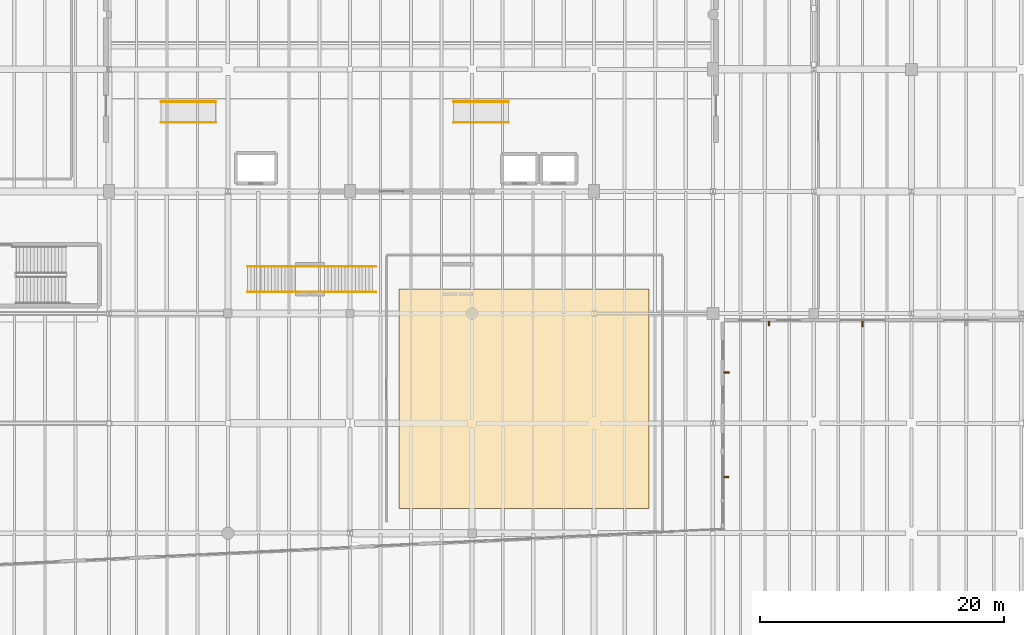
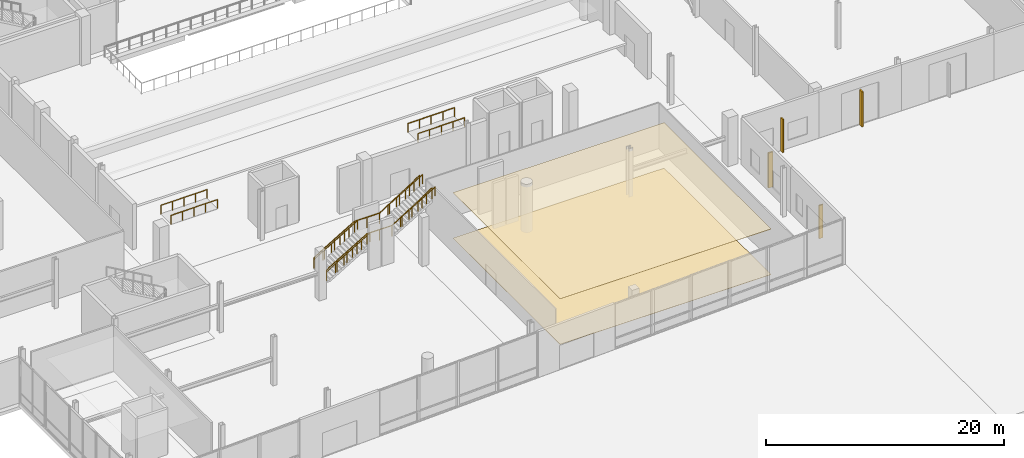
# One storey, part 80 of 88: 10 railings, 4 shading devices, 2 coverings.
"""IFC4 building model written with IfcOpenShell, lengths in metres."""

from ifc_helpers import new_model, si_unit, direction, frame, origin, origin_2d, place, context, subcontext, project, spatial, polyline, rectangle, circle, outline, extrude, material, layer, layer_set, type_object, element, save


model = new_model("IFC4")

# Units and contexts
model_context = context("Model", 3, precision=1e-05, world=origin(), true_north=direction((0.0, 1.0)))
body_context = subcontext(model_context, "Body", "Model", "MODEL_VIEW")
ifc_project = project(units=[si_unit("LENGTHUNIT", "METRE"), si_unit("AREAUNIT", "SQUARE_METRE"), si_unit("VOLUMEUNIT", "CUBIC_METRE"), si_unit("PLANEANGLEUNIT", "RADIAN"), si_unit("MASSUNIT", "GRAM", prefix="KILO")], contexts=[model_context])

# Site, building, storey
site_placement = place(None, origin())
site = spatial("IfcSite", under=ifc_project, at=site_placement, CompositionType="ELEMENT")
building_placement = place(site_placement, origin())
building = spatial("IfcBuilding", under=site, at=building_placement, Name="Trimount Lyric Opera House", CompositionType="ELEMENT")
storey_placement = place(building_placement, origin())
storey = spatial("IfcBuildingStorey", under=building, at=storey_placement, Name="L00", CompositionType="ELEMENT", Elevation=0.0)

# Coverings
ifc_material_1 = material(Name="Micro-Perforated White Oak Acoustic Ceiling")
ifc_layer_1 = layer(ifc_material_1, 0.0400390625)
ifc_layer_set_1 = layer_set([ifc_layer_1], Name="CEIL-AC1")
covering_type_1 = type_object("IfcCoveringType", Name="CEIL-AC1", PredefinedType="CEILING", material=ifc_layer_set_1)
covering_1_placement = place(storey_placement, frame((0.0, 0.0, 4.659912109375)))
element("IfcCovering", 1, at=covering_1_placement, inside=storey, type_object=covering_type_1, Name="Winter-Garden Ground Hall acoustic ceiling", PredefinedType="CEILING", context=body_context, shape_type="SweptSolid", body=[
    extrude(outline(polyline([(88.0, 28.0), (108.5, 28.0), (108.5, 46.0), (88.0, 46.0), (88.0, 28.0)])), origin(), (0.0, 0.0, 1.0), 0.0400390625),
])
ifc_material_2 = material(Name="Honed Granite Terrazzo Concourse Flooring", Category="masonry")
ifc_layer_2 = layer(ifc_material_2, 0.02490234375)
ifc_layer_set_2 = layer_set([ifc_layer_2], Name="FLR-TRZ1")
covering_type_2 = type_object("IfcCoveringType", Name="FLR-TRZ1", PredefinedType="FLOORING", material=ifc_layer_set_2)
covering_2_placement = place(storey_placement, origin())
element("IfcCovering", 2, at=covering_2_placement, inside=storey, type_object=covering_type_2, Name="Winter-Garden Ground Hall finish flooring", PredefinedType="FLOORING", context=body_context, shape_type="SweptSolid", body=[
    extrude(outline(polyline([(88.0, 28.0), (108.5, 28.0), (108.5, 46.0), (88.0, 46.0), (88.0, 28.0)])), origin(), (0.0, 0.0, 1.0), 0.02490234375),
])

# Railings
ifc_material_3 = material(Name="Bronze and Laminated Acoustic Glass", Category="glass")
railing_type_1 = type_object("IfcRailingType", Name="RL-BAL112", PredefinedType="BALUSTRADE", material=ifc_material_3)
railing_1_placement = place(storey_placement, frame((75.60009765625, 45.75, 0.166748046875)))
element("IfcRailing", 3, at=railing_1_placement, inside=storey, type_object=railing_type_1, Name="Winter-Garden Lower Promenade Stair balustrade S", PredefinedType="BALUSTRADE", context=body_context, shape_type="SweptSolid", body=[
    extrude(circle(Radius=0.02734375, at=origin_2d()), frame((0.0, 0.0, 1.0927734375), z_axis=(0.859296244711, 0.0, 0.511478214419), x_axis=(0.0, 1.0, 0.0)), (0.0, 0.0, 1.0), 4.561767578125),
    extrude(circle(Radius=0.02734375, at=origin_2d()), frame((3.919921875, 0.0, 3.42578125), z_axis=(1.0, 0.0, 0.0), x_axis=(0.0, 1.0, 0.0)), (0.0, 0.0, 1.0), 2.39990234375),
    extrude(circle(Radius=0.02734375, at=origin_2d()), frame((6.31982421875, 0.0, 3.42578125), z_axis=(0.843140013903, 0.0, 0.53769407376), x_axis=(0.0, 1.0, 0.0)), (0.0, 0.0, 1.0), 4.6494140625),
    extrude(circle(Radius=0.02099609375, at=origin_2d()), origin(), (0.0, 0.0, 1.0), 1.065185546875),
    extrude(circle(Radius=0.02099609375, at=origin_2d()), frame((0.97998046875, 0.0, 0.583251953125)), (0.0, 0.0, 1.0), 1.065185546875),
    extrude(circle(Radius=0.02099609375, at=origin_2d()), frame((1.9599609375, 0.0, 1.16650390625)), (0.0, 0.0, 1.0), 1.065185546875),
    extrude(circle(Radius=0.02099609375, at=origin_2d()), frame((2.93994140625, 0.0, 1.75)), (0.0, 0.0, 1.0), 1.065185546875),
    extrude(circle(Radius=0.02099609375, at=origin_2d()), frame((3.919921875, 0.0, 2.333251953125)), (0.0, 0.0, 1.0), 1.065185546875),
    extrude(circle(Radius=0.02099609375, at=origin_2d()), frame((5.119873046875, 0.0, 2.333251953125)), (0.0, 0.0, 1.0), 1.065185546875),
    extrude(circle(Radius=0.02099609375, at=origin_2d()), frame((6.31982421875, 0.0, 2.333251953125)), (0.0, 0.0, 1.0), 1.065185546875),
    extrude(circle(Radius=0.02099609375, at=origin_2d()), frame((7.2998046875, 0.0, 2.958251953125)), (0.0, 0.0, 1.0), 1.065185546875),
    extrude(circle(Radius=0.02099609375, at=origin_2d()), frame((8.27978515625, 0.0, 3.583251953125)), (0.0, 0.0, 1.0), 1.065185546875),
    extrude(circle(Radius=0.02099609375, at=origin_2d()), frame((9.260009765625, 0.0, 4.208251953125)), (0.0, 0.0, 1.0), 1.065185546875),
    extrude(circle(Radius=0.02099609375, at=origin_2d()), frame((10.239990234375, 0.0, 4.833251953125)), (0.0, 0.0, 1.0), 1.065185546875),
])
railing_2_placement = place(storey_placement, frame((75.60009765625, 47.85009765625, 0.166748046875)))
element("IfcRailing", 4, at=railing_2_placement, inside=storey, type_object=railing_type_1, Name="Winter-Garden Lower Promenade Stair balustrade N", PredefinedType="BALUSTRADE", context=body_context, shape_type="SweptSolid", body=[
    extrude(circle(Radius=0.02734375, at=origin_2d()), frame((0.0, 0.0, 1.0927734375), z_axis=(0.859296244711, 0.0, 0.511478214419), x_axis=(0.0, 1.0, 0.0)), (0.0, 0.0, 1.0), 4.561767578125),
    extrude(circle(Radius=0.02734375, at=origin_2d()), frame((3.919921875, 0.0, 3.42578125), z_axis=(1.0, 0.0, 0.0), x_axis=(0.0, 1.0, 0.0)), (0.0, 0.0, 1.0), 2.39990234375),
    extrude(circle(Radius=0.02734375, at=origin_2d()), frame((6.31982421875, 0.0, 3.42578125), z_axis=(0.843140013903, 0.0, 0.53769407376), x_axis=(0.0, 1.0, 0.0)), (0.0, 0.0, 1.0), 4.6494140625),
    extrude(circle(Radius=0.02099609375, at=origin_2d()), origin(), (0.0, 0.0, 1.0), 1.065185546875),
    extrude(circle(Radius=0.02099609375, at=origin_2d()), frame((0.97998046875, 0.0, 0.583251953125)), (0.0, 0.0, 1.0), 1.065185546875),
    extrude(circle(Radius=0.02099609375, at=origin_2d()), frame((1.9599609375, 0.0, 1.16650390625)), (0.0, 0.0, 1.0), 1.065185546875),
    extrude(circle(Radius=0.02099609375, at=origin_2d()), frame((2.93994140625, 0.0, 1.75)), (0.0, 0.0, 1.0), 1.065185546875),
    extrude(circle(Radius=0.02099609375, at=origin_2d()), frame((3.919921875, 0.0, 2.333251953125)), (0.0, 0.0, 1.0), 1.065185546875),
    extrude(circle(Radius=0.02099609375, at=origin_2d()), frame((5.119873046875, 0.0, 2.333251953125)), (0.0, 0.0, 1.0), 1.065185546875),
    extrude(circle(Radius=0.02099609375, at=origin_2d()), frame((6.31982421875, 0.0, 2.333251953125)), (0.0, 0.0, 1.0), 1.065185546875),
    extrude(circle(Radius=0.02099609375, at=origin_2d()), frame((7.2998046875, 0.0, 2.958251953125)), (0.0, 0.0, 1.0), 1.065185546875),
    extrude(circle(Radius=0.02099609375, at=origin_2d()), frame((8.27978515625, 0.0, 3.583251953125)), (0.0, 0.0, 1.0), 1.065185546875),
    extrude(circle(Radius=0.02099609375, at=origin_2d()), frame((9.260009765625, 0.0, 4.208251953125)), (0.0, 0.0, 1.0), 1.065185546875),
    extrude(circle(Radius=0.02099609375, at=origin_2d()), frame((10.239990234375, 0.0, 4.833251953125)), (0.0, 0.0, 1.0), 1.065185546875),
])
ifc_material_4 = material(Name="Brushed Stainless Steel 316", Category="steel")
railing_type_2 = type_object("IfcRailingType", Name="RL-HND092", PredefinedType="HANDRAIL", material=ifc_material_4)
railing_3_placement = place(storey_placement, frame((75.60009765625, 45.75, 0.166748046875)))
element("IfcRailing", 5, at=railing_3_placement, inside=storey, type_object=railing_type_2, Name="Winter-Garden Lower Promenade Stair flight 1 handrail S", PredefinedType="HANDRAIL", context=body_context, shape_type="SweptSolid", body=[
    extrude(circle(Radius=0.0224609375, at=origin_2d()), frame((0.0, 0.0, 0.8974609375), z_axis=(0.859004831559, 0.0, 0.51196747881), x_axis=(0.0, 1.0, 0.0)), (0.0, 0.0, 1.0), 4.889404296875),
    extrude(circle(Radius=0.02099609375, at=origin_2d()), origin(), (0.0, 0.0, 1.0), 0.875),
    extrude(circle(Radius=0.02099609375, at=origin_2d()), frame((0.840087890625, 0.0, 0.500732421875)), (0.0, 0.0, 1.0), 0.875),
    extrude(circle(Radius=0.02099609375, at=origin_2d()), frame((1.679931640625, 0.0, 1.001220703125)), (0.0, 0.0, 1.0), 0.875),
    extrude(circle(Radius=0.02099609375, at=origin_2d()), frame((2.52001953125, 0.0, 1.501953125)), (0.0, 0.0, 1.0), 0.875),
    extrude(circle(Radius=0.02099609375, at=origin_2d()), frame((3.35986328125, 0.0, 2.00244140625)), (0.0, 0.0, 1.0), 0.875),
    extrude(circle(Radius=0.02099609375, at=origin_2d()), frame((4.199951171875, 0.0, 2.503173828125)), (0.0, 0.0, 1.0), 0.875),
])
railing_4_placement = place(storey_placement, frame((81.919921875, 45.75, 2.666748046875)))
element("IfcRailing", 6, at=railing_4_placement, inside=storey, type_object=railing_type_2, Name="Winter-Garden Lower Promenade Stair flight 2 handrail S", PredefinedType="HANDRAIL", context=body_context, shape_type="SweptSolid", body=[
    extrude(circle(Radius=0.0224609375, at=origin_2d()), frame((0.0, 0.0, 0.8974609375), z_axis=(0.859017918803, 0.0, 0.511945519733), x_axis=(0.0, 1.0, 0.0)), (0.0, 0.0, 1.0), 4.8896484375),
    extrude(circle(Radius=0.02099609375, at=origin_2d()), origin(), (0.0, 0.0, 1.0), 0.875),
    extrude(circle(Radius=0.02099609375, at=origin_2d()), frame((0.840087890625, 0.0, 0.500732421875)), (0.0, 0.0, 1.0), 0.875),
    extrude(circle(Radius=0.02099609375, at=origin_2d()), frame((1.68017578125, 0.0, 1.001220703125)), (0.0, 0.0, 1.0), 0.875),
    extrude(circle(Radius=0.02099609375, at=origin_2d()), frame((2.52001953125, 0.0, 1.501953125)), (0.0, 0.0, 1.0), 0.875),
    extrude(circle(Radius=0.02099609375, at=origin_2d()), frame((3.360107421875, 0.0, 2.00244140625)), (0.0, 0.0, 1.0), 0.875),
    extrude(circle(Radius=0.02099609375, at=origin_2d()), frame((4.2001953125, 0.0, 2.503173828125)), (0.0, 0.0, 1.0), 0.875),
])
railing_5_placement = place(storey_placement, frame((75.60009765625, 47.85009765625, 0.166748046875)))
element("IfcRailing", 7, at=railing_5_placement, inside=storey, type_object=railing_type_2, Name="Winter-Garden Lower Promenade Stair flight 1 handrail N", PredefinedType="HANDRAIL", context=body_context, shape_type="SweptSolid", body=[
    extrude(circle(Radius=0.0224609375, at=origin_2d()), frame((0.0, 0.0, 0.8974609375), z_axis=(0.859004831559, 0.0, 0.51196747881), x_axis=(0.0, 1.0, 0.0)), (0.0, 0.0, 1.0), 4.889404296875),
    extrude(circle(Radius=0.02099609375, at=origin_2d()), origin(), (0.0, 0.0, 1.0), 0.875),
    extrude(circle(Radius=0.02099609375, at=origin_2d()), frame((0.840087890625, 0.0, 0.500732421875)), (0.0, 0.0, 1.0), 0.875),
    extrude(circle(Radius=0.02099609375, at=origin_2d()), frame((1.679931640625, 0.0, 1.001220703125)), (0.0, 0.0, 1.0), 0.875),
    extrude(circle(Radius=0.02099609375, at=origin_2d()), frame((2.52001953125, 0.0, 1.501953125)), (0.0, 0.0, 1.0), 0.875),
    extrude(circle(Radius=0.02099609375, at=origin_2d()), frame((3.35986328125, 0.0, 2.00244140625)), (0.0, 0.0, 1.0), 0.875),
    extrude(circle(Radius=0.02099609375, at=origin_2d()), frame((4.199951171875, 0.0, 2.503173828125)), (0.0, 0.0, 1.0), 0.875),
])
railing_6_placement = place(storey_placement, frame((81.919921875, 47.85009765625, 2.666748046875)))
element("IfcRailing", 8, at=railing_6_placement, inside=storey, type_object=railing_type_2, Name="Winter-Garden Lower Promenade Stair flight 2 handrail N", PredefinedType="HANDRAIL", context=body_context, shape_type="SweptSolid", body=[
    extrude(circle(Radius=0.0224609375, at=origin_2d()), frame((0.0, 0.0, 0.8974609375), z_axis=(0.859017918803, 0.0, 0.511945519733), x_axis=(0.0, 1.0, 0.0)), (0.0, 0.0, 1.0), 4.8896484375),
    extrude(circle(Radius=0.02099609375, at=origin_2d()), origin(), (0.0, 0.0, 1.0), 0.875),
    extrude(circle(Radius=0.02099609375, at=origin_2d()), frame((0.840087890625, 0.0, 0.500732421875)), (0.0, 0.0, 1.0), 0.875),
    extrude(circle(Radius=0.02099609375, at=origin_2d()), frame((1.68017578125, 0.0, 1.001220703125)), (0.0, 0.0, 1.0), 0.875),
    extrude(circle(Radius=0.02099609375, at=origin_2d()), frame((2.52001953125, 0.0, 1.501953125)), (0.0, 0.0, 1.0), 0.875),
    extrude(circle(Radius=0.02099609375, at=origin_2d()), frame((3.360107421875, 0.0, 2.00244140625)), (0.0, 0.0, 1.0), 0.875),
    extrude(circle(Radius=0.02099609375, at=origin_2d()), frame((4.2001953125, 0.0, 2.503173828125)), (0.0, 0.0, 1.0), 0.875),
])
for number, where, name in (
    (9, (68.5, 59.64990234375, 0.0), "Auditorium Stalls West Accessible Ramp handrail S"),
    (10, (68.5, 61.35009765625, 0.0), "Auditorium Stalls West Accessible Ramp handrail N"),
    (11, (92.5, 59.64990234375, 0.0), "Auditorium Stalls East Accessible Ramp handrail S"),
    (12, (92.5, 61.35009765625, 0.0), "Auditorium Stalls East Accessible Ramp handrail N"),
):
    element("IfcRailing", number, at=place(storey_placement, frame(where)), inside=storey, type_object=railing_type_2, Name=name, PredefinedType="HANDRAIL", context=body_context, shape_type="SweptSolid", body=[
        extrude(circle(Radius=0.0224609375, at=origin_2d()), frame((0.0, 0.0, 0.8974609375), z_axis=(0.99993815672, 0.0, 0.011121273987), x_axis=(0.0, 1.0, 0.0)), (0.0, 0.0, 1.0), 4.500244140625),
        extrude(circle(Radius=0.02099609375, at=origin_2d()), origin(), (0.0, 0.0, 1.0), 0.875),
        extrude(circle(Radius=0.02099609375, at=origin_2d()), frame((1.125, 0.0, 0.012451171875)), (0.0, 0.0, 1.0), 0.875),
        extrude(circle(Radius=0.02099609375, at=origin_2d()), frame((2.25, 0.0, 0.02490234375)), (0.0, 0.0, 1.0), 0.875),
        extrude(circle(Radius=0.02099609375, at=origin_2d()), frame((3.375, 0.0, 0.03759765625)), (0.0, 0.0, 1.0), 0.875),
        extrude(circle(Radius=0.02099609375, at=origin_2d()), frame((4.5, 0.0, 0.050048828125)), (0.0, 0.0, 1.0), 0.875),
    ])

# Shading devices
ifc_material_5 = material(Name="Extruded Bronze Vertical Acoustic Fin")
shading_device_type_1 = type_object("IfcShadingDeviceType", Name="SHD-FIN1", PredefinedType="USERDEFINED", material=ifc_material_5)
shading_device_1_placement = place(storey_placement, frame((126.0, 43.139892578125, 0.0), z_axis=(0.0, 0.0, 1.0), x_axis=(1.0, 0.0, 0.0)))
element("IfcShadingDevice", 13, at=shading_device_1_placement, inside=storey, type_object=shading_device_type_1, Name="Vertical architectural facade fin 037", ObjectType="FIN", PredefinedType="USERDEFINED", context=body_context, shape_type="SweptSolid", body=[
    extrude(rectangle(XDim=0.139892578125, YDim=0.449951171875, at=origin_2d()), origin(), (0.0, 0.0, 1.0), 3.60009765625),
])
shading_device_2_placement = place(storey_placement, frame((114.860107421875, 39.159912109375, 0.0), z_axis=(0.0, 0.0, 1.0), x_axis=(1.0, 0.0, 0.0)))
element("IfcShadingDevice", 14, at=shading_device_2_placement, inside=storey, type_object=shading_device_type_1, Name="Vertical architectural facade fin 039", ObjectType="FIN", PredefinedType="USERDEFINED", context=body_context, shape_type="SweptSolid", body=[
    extrude(rectangle(XDim=0.449951171875, YDim=0.139892578125, at=origin_2d()), origin(), (0.0, 0.0, 1.0), 3.60009765625),
])
ifc_material_6 = material(Name="Extruded White Aluminium Sun Fin", Category="aluminium")
shading_device_type_2 = type_object("IfcShadingDeviceType", Name="SHD-FIN2", PredefinedType="USERDEFINED", material=ifc_material_6)
shading_device_3_placement = place(storey_placement, frame((118.340087890625, 43.175048828125, 0.0), z_axis=(0.0, 0.0, 1.0), x_axis=(1.0, 0.0, 0.0)))
element("IfcShadingDevice", 15, at=shading_device_3_placement, inside=storey, type_object=shading_device_type_2, Name="Vertical architectural facade fin 038", ObjectType="FIN", PredefinedType="USERDEFINED", context=body_context, shape_type="SweptSolid", body=[
    extrude(rectangle(XDim=0.1201171875, YDim=0.3798828125, at=origin_2d()), origin(), (0.0, 0.0, 1.0), 3.39990234375),
])
shading_device_4_placement = place(storey_placement, frame((114.824951171875, 30.60009765625, 0.0), z_axis=(0.0, 0.0, 1.0), x_axis=(1.0, 0.0, 0.0)))
element("IfcShadingDevice", 16, at=shading_device_4_placement, inside=storey, type_object=shading_device_type_2, Name="Vertical architectural facade fin 040", ObjectType="FIN", PredefinedType="USERDEFINED", context=body_context, shape_type="SweptSolid", body=[
    extrude(rectangle(XDim=0.3798828125, YDim=0.1201171875, at=origin_2d()), origin(), (0.0, 0.0, 1.0), 3.39990234375),
])

save(model, "model.ifc")
